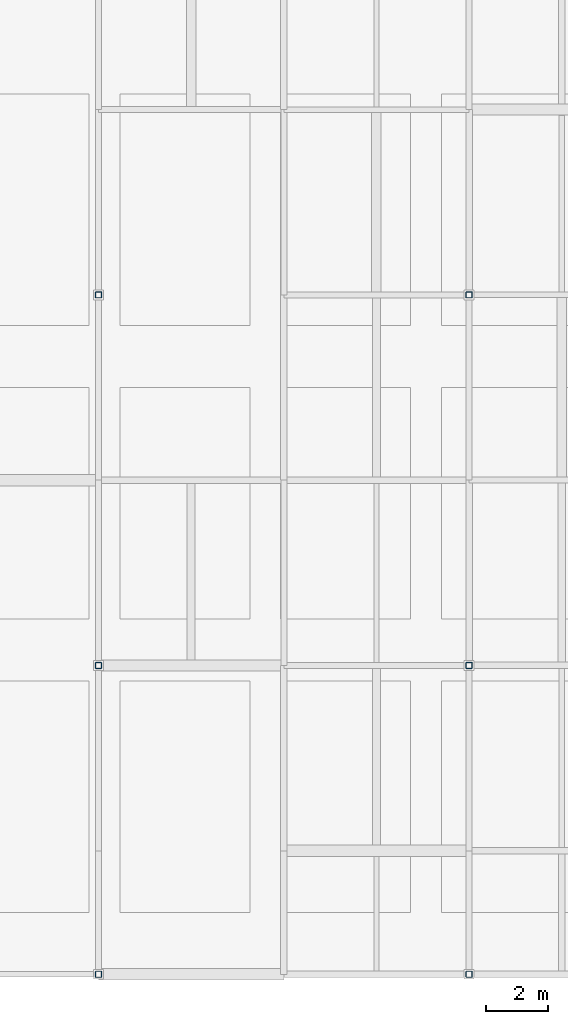
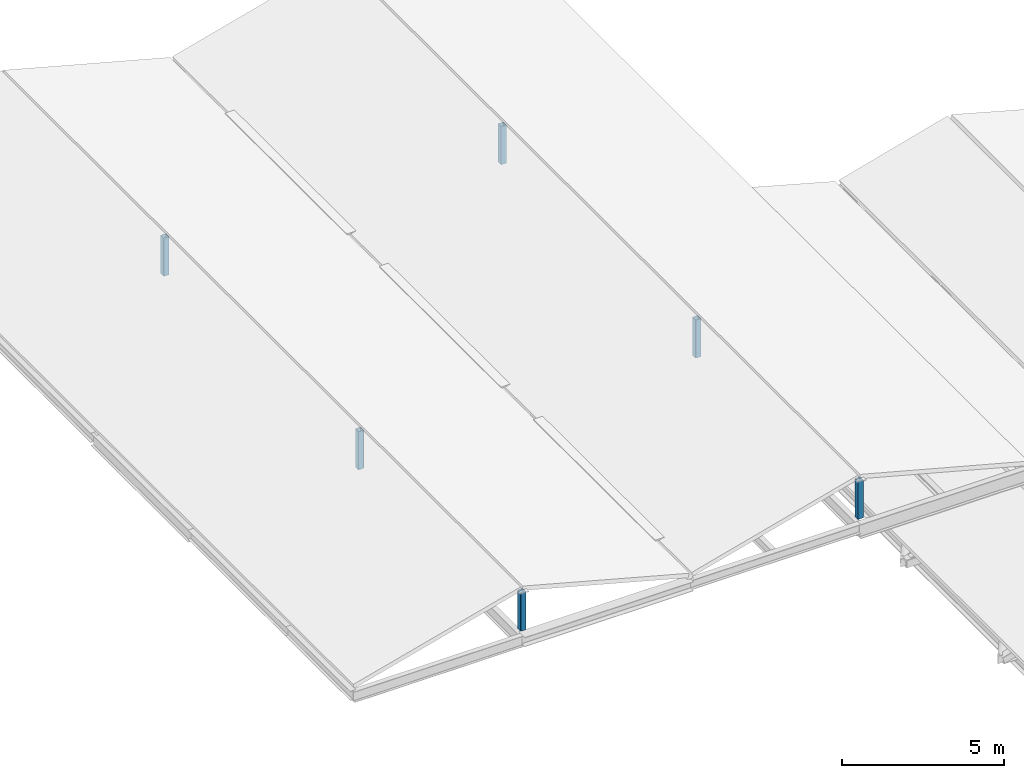
# One storey, part 1 of 27: 6 columns.
"""IFC4 building model written with IfcOpenShell, lengths in metres."""

from ifc_helpers import new_model, si_unit, direction, frame, origin, origin_2d, place, context, subcontext, project, spatial, hollow_rectangle, extrude, material, material_profile, profile_set, type_object, element, save


model = new_model("IFC4")

# Units and contexts
model_context = context("Model", 3, precision=1e-05, world=origin(), true_north=direction((0.0, 1.0)))
body_context = subcontext(model_context, "Body", "Model", "MODEL_VIEW")
ifc_project = project(units=[si_unit("LENGTHUNIT", "METRE"), si_unit("AREAUNIT", "SQUARE_METRE"), si_unit("VOLUMEUNIT", "CUBIC_METRE"), si_unit("PLANEANGLEUNIT", "RADIAN"), si_unit("MASSUNIT", "GRAM", prefix="KILO")], contexts=[model_context])

# Site, building, storey
site_placement = place(None, origin())
site = spatial("IfcSite", under=ifc_project, at=site_placement, CompositionType="ELEMENT")
building_placement = place(site_placement, origin())
building = spatial("IfcBuilding", under=site, at=building_placement, Name="Verrall Gate Interchange", CompositionType="ELEMENT")
storey_placement = place(building_placement, frame((0.0, 0.0, 32.800048828125)))
storey = spatial("IfcBuildingStorey", under=building, at=storey_placement, Name="RF", CompositionType="ELEMENT", Elevation=32.800048828125)

# Columns
ifc_material = material(Name="Structural Steel CSA G40.21 350W", Category="steel")
ifc_material_profile = material_profile(ifc_material, hollow_rectangle(XDim=0.202880859375, YDim=0.202880859375, WallThickness=0.009521484375, InnerFilletRadius=0.009521484375, OuterFilletRadius=0.01904296875, at=origin_2d()), Name="HSS203x203x9.5")
ifc_profile_set = profile_set([ifc_material_profile], Name="Structural Steel CSA G40.21 350W")
column_type = type_object("IfcColumnType", Name="C-14 Column HSS203x203x9.5", PredefinedType="COLUMN", material=ifc_profile_set)
for number, where, z_axis, x_axis, name in (
    (1, (12.0, 12.0, 0.0), (0.0, 0.0, 1.0), (1.0, 0.0, 0.0), "RF Roof Ridge King-Post 001"),
    (2, (12.0, 22.0, 0.0), (0.0, 0.0, 1.0), (1.0, 0.0, 0.0), "RF Roof Ridge King-Post 002"),
    (3, (12.0, 34.0, 0.0), (0.0, 0.0, 1.0), (1.0, 0.0, 0.0), "RF Roof Ridge King-Post 003"),
    (4, (24.0, 12.0, 0.0), (0.0, 0.0, 1.0), (1.0, 0.0, 0.0), "RF Roof Ridge King-Post 005"),
    (5, (24.0, 22.0, 0.0), (0.0, 0.0, 1.0), (1.0, 0.0, 0.0), "RF Roof Ridge King-Post 006"),
    (6, (24.0, 34.0, 0.0), (0.0, 0.0, 1.0), (1.0, 0.0, 0.0), "RF Roof Ridge King-Post 007"),
):
    element("IfcColumn", number, at=place(storey_placement, frame(where, z_axis=z_axis, x_axis=x_axis)), inside=storey, type_object=column_type, Name=name, PredefinedType="COLUMN", context=body_context, shape_type="SweptSolid", body=[
        extrude(hollow_rectangle(XDim=0.202880859375, YDim=0.202880859375, WallThickness=0.009521484375, InnerFilletRadius=0.009521484375, OuterFilletRadius=0.01904296875, at=origin_2d()), origin(), (0.0, 0.0, 1.0), 1.429931640625),
    ])

save(model, "model.ifc")
